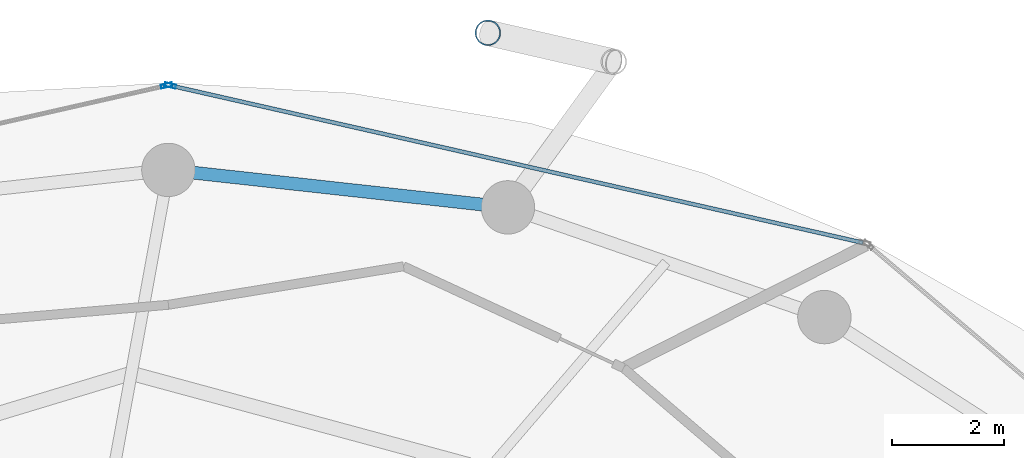
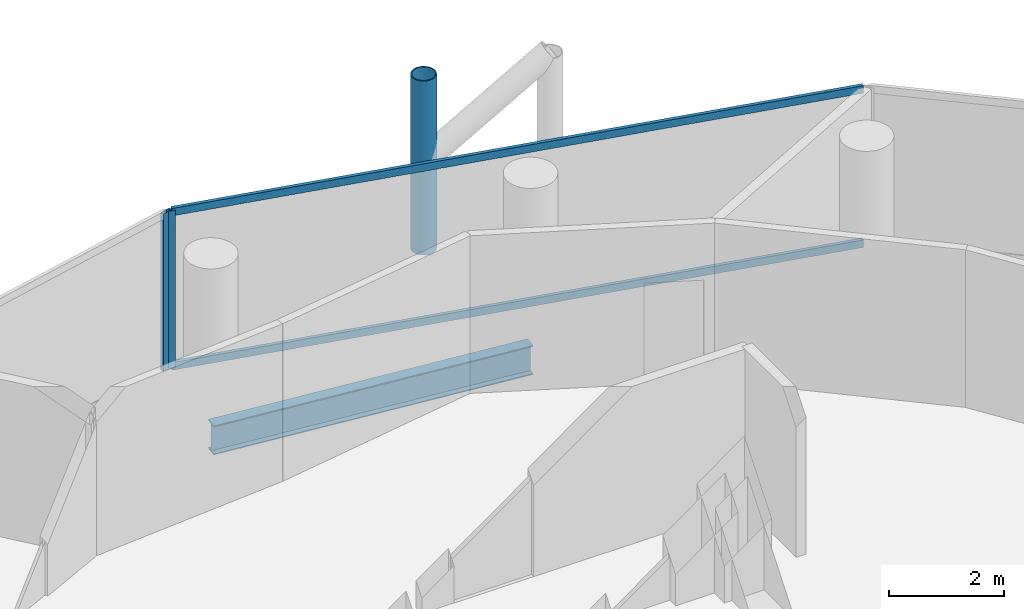
# One storey, part 17 of 26: 5 members, 1 beam, 2 elements without a shape of their own.
"""IFC4 building model written with IfcOpenShell, lengths in metres."""

from ifc_helpers import new_model, si_unit, direction, frame, origin, origin_2d, place, context, subcontext, project, spatial, hollow_rectangle, hollow_circle, i_section, extrude, material, layer, layer_set, material_profile, profile_set, type_object, element, aggregate, save


model = new_model("IFC4")

# Units and contexts
model_context = context("Model", 3, precision=1e-05, world=origin(), true_north=direction((0.0, 1.0)))
body_context = subcontext(model_context, "Body", "Model", "MODEL_VIEW")
ifc_project = project(units=[si_unit("LENGTHUNIT", "METRE"), si_unit("AREAUNIT", "SQUARE_METRE"), si_unit("VOLUMEUNIT", "CUBIC_METRE"), si_unit("PLANEANGLEUNIT", "RADIAN"), si_unit("MASSUNIT", "GRAM", prefix="KILO")], contexts=[model_context])

# Site, building, storey
site_placement = place(None, origin())
site = spatial("IfcSite", under=ifc_project, at=site_placement, CompositionType="ELEMENT")
building_placement = place(site_placement, origin())
building = spatial("IfcBuilding", under=site, at=building_placement, Name="Nuhasar Tower", CompositionType="ELEMENT")
storey_placement = place(building_placement, frame((0.0, 0.0, 192.25)))
storey = spatial("IfcBuildingStorey", under=building, at=storey_placement, Name="L47", CompositionType="ELEMENT", Elevation=192.25)

# Beam
ifc_material_1 = material(Name="Steel S355", Category="steel")
ifc_material_profile_1 = material_profile(ifc_material_1, i_section(OverallWidth=0.22998046875, OverallDepth=0.616943359375, WebThickness=0.01318359375, FlangeThickness=0.022216796875, at=origin_2d()), Name="W24X94")
ifc_profile_set_1 = profile_set([ifc_material_profile_1], Name="Steel S355")
beam_type = type_object("IfcBeamType", Name="BM-RING-W24X94", PredefinedType="SPANDREL", material=ifc_profile_set_1)
beam_placement = place(storey_placement, frame((45.04296875, 45.68408203125, -0.55908203125), z_axis=(-0.993981289157, 0.109549974015, 0.0), x_axis=(-0.109549974015, -0.993981289157, 0.0)))
element("IfcBeam", 1, at=beam_placement, inside=storey, type_object=beam_type, Name="L47 Perimeter Ring Spandrel 06", PredefinedType="SPANDREL", context=body_context, shape_type="SweptSolid", body=[
    extrude(i_section(OverallWidth=0.22998046875, OverallDepth=0.616943359375, WebThickness=0.01318359375, FlangeThickness=0.022216796875, at=origin_2d()), origin(), (0.0, 0.0, 1.0), 6.07958984375),
])

# Curtain wall, member
ifc_material_2 = material(Name="Aluminium 6063-T6", Category="aluminium")
ifc_layer = layer(ifc_material_2, 0.199951171875)
ifc_layer_set = layer_set([ifc_layer], Name="Aluminium 6063-T6")
curtain_wall_type = type_object("IfcCurtainWallType", Name="CW-Z2-HTL", PredefinedType="NOTDEFINED", material=ifc_layer_set)
curtain_wall_1_placement = place(storey_placement, origin())
curtain_wall_1 = element("IfcCurtainWall", 2, at=curtain_wall_1_placement, inside=storey, type_object=curtain_wall_type, Name="L47 Unitised Curtain Wall 03", PredefinedType="NOTDEFINED")
ifc_material_profile_2 = material_profile(ifc_material_2, hollow_rectangle(XDim=0.070068359375, YDim=0.199951171875, WallThickness=0.0048828125, at=origin_2d()), Name="CWM-3")
ifc_profile_set_2 = profile_set([ifc_material_profile_2], Name="Aluminium 6063-T6")
member_type_1 = type_object("IfcMemberType", Name="CW-MUL-S3", PredefinedType="MULLION", material=ifc_profile_set_2)
member_1_placement = place(storey_placement, frame((39.0341796875, 47.852294921875, 0.0), z_axis=(0.0, 0.0, 1.0), x_axis=(-0.22139729566, -0.975183694221, 0.0)))
member_1 = element("IfcMember", 3, at=member_1_placement, type_object=member_type_1, Name="CW-Z2 mullion 2", PredefinedType="MULLION", context=body_context, shape_type="SweptSolid", body=[
    extrude(hollow_rectangle(XDim=0.070068359375, YDim=0.199951171875, WallThickness=0.0048828125, at=origin_2d()), origin(), (0.0, 0.0, 1.0), 3.35009765625),
])

curtain_wall_2_placement = place(storey_placement, origin())
curtain_wall_2 = element("IfcCurtainWall", 4, at=curtain_wall_2_placement, inside=storey, type_object=curtain_wall_type, Name="L47 Unitised Curtain Wall 04", PredefinedType="NOTDEFINED")
member_2_placement = place(storey_placement, frame((38.9658203125, 47.852294921875, 0.0), z_axis=(0.0, 0.0, 1.0), x_axis=(0.22139729566, -0.975183694221, 0.0)))
member_2 = element("IfcMember", 5, at=member_2_placement, type_object=member_type_1, Name="CW-Z2 mullion 1", PredefinedType="MULLION", context=body_context, shape_type="SweptSolid", body=[
    extrude(hollow_rectangle(XDim=0.070068359375, YDim=0.199951171875, WallThickness=0.0048828125, at=origin_2d()), origin(), (0.0, 0.0, 1.0), 3.35009765625),
])
aggregate(curtain_wall_2, [member_2])

# Member
ifc_material_profile_3 = material_profile(ifc_material_2, hollow_rectangle(XDim=0.070068359375, YDim=0.159912109375, WallThickness=0.00439453125, at=origin_2d()), Name="CWT-3")
ifc_profile_set_3 = profile_set([ifc_material_profile_3], Name="Aluminium 6063-T6")
member_type_2 = type_object("IfcMemberType", Name="CW-TRN-S3", PredefinedType="USERDEFINED", material=ifc_profile_set_3)
member_3_placement = place(storey_placement, frame((51.36181640625, 45.053466796875, 0.034912109375), z_axis=(-0.975183434528, 0.221398439519, 0.0), x_axis=(-0.221398439519, -0.975183434528, 0.0)))
member_3 = element("IfcMember", 6, at=member_3_placement, type_object=member_type_2, Name="CW-Z2 transom 1.1", ObjectType="TRANSOM", PredefinedType="USERDEFINED", context=body_context, shape_type="SweptSolid", body=[
    extrude(hollow_rectangle(XDim=0.070068359375, YDim=0.159912109375, WallThickness=0.00439453125, at=origin_2d()), origin(), (0.0, 0.0, 1.0), 12.606201171875),
])

member_4_placement = place(storey_placement, frame((51.36181640625, 45.053466796875, 3.31494140625), z_axis=(-0.975183434528, 0.221398439519, 0.0), x_axis=(-0.221398439519, -0.975183434528, 0.0)))
member_4 = element("IfcMember", 7, at=member_4_placement, type_object=member_type_2, Name="CW-Z2 transom 1.2", ObjectType="TRANSOM", PredefinedType="USERDEFINED", context=body_context, shape_type="SweptSolid", body=[
    extrude(hollow_rectangle(XDim=0.070068359375, YDim=0.159912109375, WallThickness=0.00439453125, at=origin_2d()), origin(), (0.0, 0.0, 1.0), 12.606201171875),
])

aggregate(curtain_wall_1, [member_1, member_3, member_4])

ifc_material_3 = material(Name="Steel S460", Category="steel")
ifc_material_profile_4 = material_profile(ifc_material_3, hollow_circle(Radius=0.228515625, WallThickness=0.022216796875, at=origin_2d()), Name="HSS457X22.2")
ifc_profile_set_4 = profile_set([ifc_material_profile_4], Name="Steel S460")
member_type_3 = type_object("IfcMemberType", Name="EXO-BRONZE-457", PredefinedType="BRACE", material=ifc_profile_set_4)
member_5_placement = place(storey_placement, frame((44.68603515625, 48.7900390625, 0.0), z_axis=(0.0, 0.0, 1.0), x_axis=(1.0, 0.0, 0.0)))
element("IfcMember", 8, at=member_5_placement, inside=storey, type_object=member_type_3, Name="L47 Exoskeleton Chord Column EC-03B", PredefinedType="BRACE", context=body_context, shape_type="SweptSolid", body=[
    extrude(hollow_circle(Radius=0.228515625, WallThickness=0.022216796875, at=origin_2d()), origin(), (0.0, 0.0, 1.0), 3.699951171875),
])

save(model, "model.ifc")
